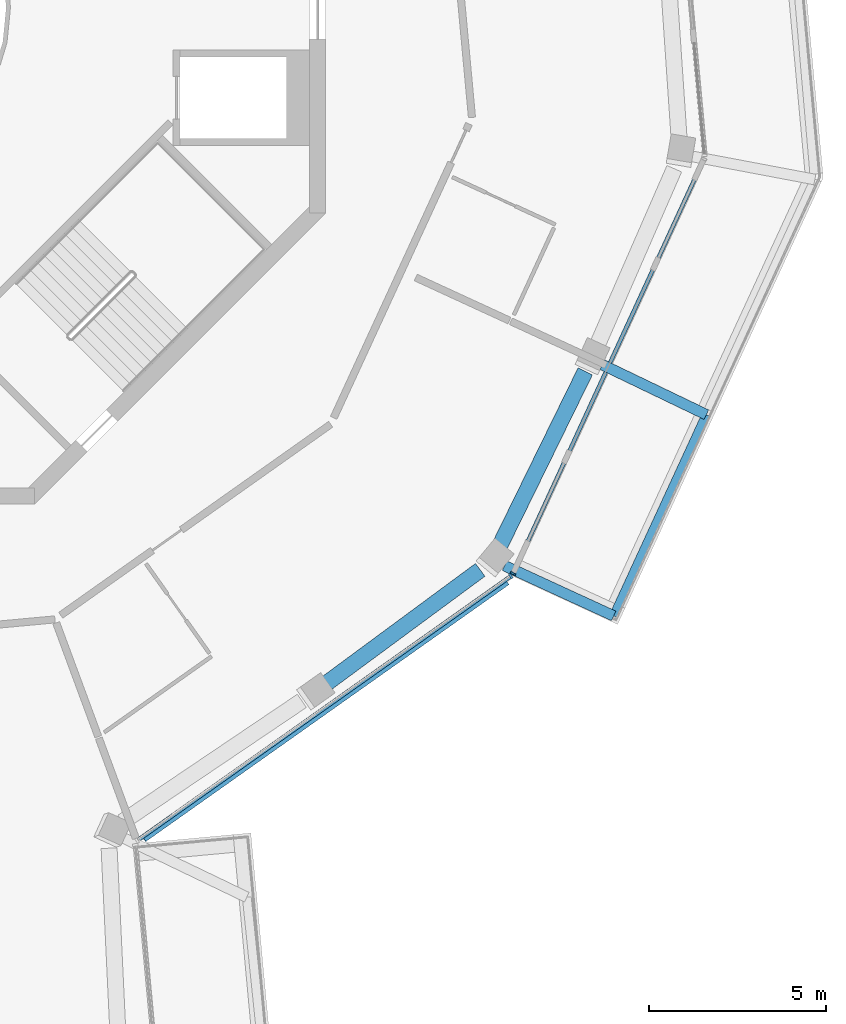
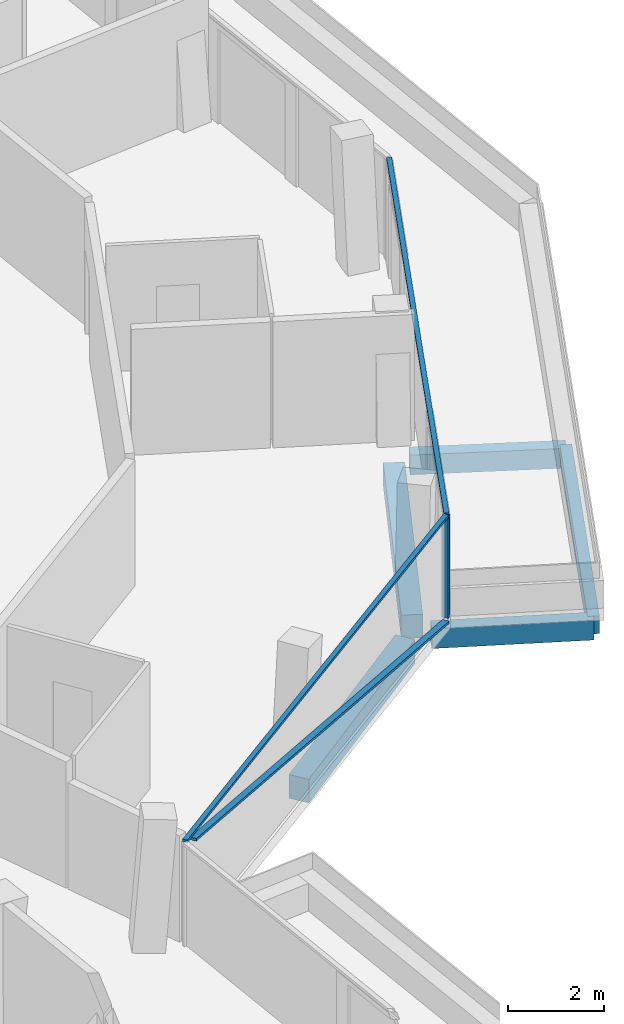
# One storey, part 4 of 25: 5 beams, 5 members, 2 elements without a shape of their own.
"""IFC4 building model written with IfcOpenShell, lengths in metres."""

from ifc_helpers import new_model, si_unit, direction, frame, origin, origin_2d, place, context, subcontext, project, spatial, rectangle, extrude, material, layer, layer_set, material_profile, profile_set, type_object, element, aggregate, save


model = new_model("IFC4")

# Units and contexts
model_context = context("Model", 3, precision=1e-05, world=origin(), true_north=direction((0.0, 1.0)))
body_context = subcontext(model_context, "Body", "Model", "MODEL_VIEW")
ifc_project = project(units=[si_unit("LENGTHUNIT", "METRE"), si_unit("AREAUNIT", "SQUARE_METRE"), si_unit("VOLUMEUNIT", "CUBIC_METRE"), si_unit("PLANEANGLEUNIT", "RADIAN"), si_unit("MASSUNIT", "GRAM", prefix="KILO")], contexts=[model_context])

# Site, building, storey
site_placement = place(None, origin())
site = spatial("IfcSite", under=ifc_project, at=site_placement, CompositionType="ELEMENT")
building_placement = place(site_placement, origin())
building = spatial("IfcBuilding", under=site, at=building_placement, Name="Verdalira Terraces Hotel", CompositionType="ELEMENT")
storey_placement = place(building_placement, frame((0.0, 0.0, 299.5)))
storey = spatial("IfcBuildingStorey", under=building, at=storey_placement, Name="L74", CompositionType="ELEMENT", Elevation=299.5)

# Beams
ifc_material_1 = material(Name="Concrete C40", Category="concrete")
ifc_material_profile_1 = material_profile(ifc_material_1, rectangle(XDim=0.300049, YDim=0.5, at=origin_2d()), Name="RC 300X500")
ifc_profile_set_1 = profile_set([ifc_material_profile_1], Name="Concrete C40")
beam_type_1 = type_object("IfcBeamType", Name="Balcony cantilever beam RC 300X500 C40", PredefinedType="BEAM", material=ifc_profile_set_1)
beam_1_placement = place(storey_placement, frame((19.040283, -15.73291, -0.560059), z_axis=(0.908379196, -0.418147386, 0.0), x_axis=(0.418147386, 0.908379196, 0.0)))
element("IfcBeam", 1, at=beam_1_placement, inside=storey, type_object=beam_type_1, Name="Balcony cantilever beam R26-1", PredefinedType="BEAM", context=body_context, shape_type="SweptSolid", body=[
    extrude(rectangle(XDim=0.300049, YDim=0.5, at=origin_2d()), origin(), (0.0, 0.0, 1.0), 3.383545),
])
beam_2_placement = place(storey_placement, frame((21.794189, -10.069824, -0.560059), z_axis=(0.901229863, -0.433341359, 0.0), x_axis=(0.433341359, 0.901229863, 0.0)))
element("IfcBeam", 2, at=beam_2_placement, inside=storey, type_object=beam_type_1, Name="Balcony cantilever beam R26-2", PredefinedType="BEAM", context=body_context, shape_type="SweptSolid", body=[
    extrude(rectangle(XDim=0.300049, YDim=0.5, at=origin_2d()), origin(), (0.0, 0.0, 1.0), 3.250732),
])
ifc_material_2 = material(Name="Concrete C40", Category="concrete")
ifc_material_profile_2 = material_profile(ifc_material_2, rectangle(XDim=0.25, YDim=0.449951, at=origin_2d()), Name="RC 250X450")
ifc_profile_set_2 = profile_set([ifc_material_profile_2], Name="Concrete C40")
beam_type_2 = type_object("IfcBeamType", Name="Balcony edge beam RC 250X450 C40", PredefinedType="BEAM", material=ifc_profile_set_2)
beam_3_placement = place(storey_placement, frame((22.11377, -17.147705, -0.534912), z_axis=(0.418207136, 0.908351689, 0.0), x_axis=(-0.908351689, 0.418207136, 0.0)))
element("IfcBeam", 3, at=beam_3_placement, inside=storey, type_object=beam_type_2, Name="Balcony edge beam R26-1", PredefinedType="BEAM", context=body_context, shape_type="SweptSolid", body=[
    extrude(rectangle(XDim=0.25, YDim=0.449951, at=origin_2d()), origin(), (0.0, 0.0, 1.0), 6.241211),
])

# Curtain wall, member
ifc_material_3 = material(Name="Clear glass", Category="glass")
ifc_layer = layer(ifc_material_3, 0.14990234375)
ifc_layer_set = layer_set([ifc_layer], Name="CW1 curtain wall")
curtain_wall_type = type_object("IfcCurtainWallType", Name="CW1 curtain wall", PredefinedType="NOTDEFINED", material=ifc_layer_set)
curtain_wall_1_placement = place(storey_placement, origin())
curtain_wall_1 = element("IfcCurtainWall", 4, at=curtain_wall_1_placement, inside=storey, type_object=curtain_wall_type, Name="CW1 curtain wall L74 edge 25", PredefinedType="NOTDEFINED")
ifc_material_4 = material(Name="Terracotta frame", Category="masonry")
ifc_material_profile_3 = material_profile(ifc_material_4, rectangle(XDim=0.060059, YDim=0.149902, at=origin_2d()), Name="MU 60x150")
ifc_profile_set_3 = profile_set([ifc_material_profile_3], Name="Terracotta frame")
member_type_1 = type_object("IfcMemberType", Name="CW1 mullion 60x150", PredefinedType="MULLION", material=ifc_profile_set_3)
member_1_placement = place(storey_placement, frame((19.216553, -16.028076, 0.0), z_axis=(0.0, 0.0, 1.0), x_axis=(0.816339251, 0.577572703, 0.0)))
member_1 = element("IfcMember", 5, at=member_1_placement, type_object=member_type_1, Name="CW1 mullion", PredefinedType="MULLION", context=body_context, shape_type="SweptSolid", body=[
    extrude(rectangle(XDim=0.060059, YDim=0.149902, at=origin_2d()), origin(), (0.0, 0.0, 1.0), 2.524902),
])

curtain_wall_2_placement = place(storey_placement, origin())
curtain_wall_2 = element("IfcCurtainWall", 6, at=curtain_wall_2_placement, inside=storey, type_object=curtain_wall_type, Name="CW1 curtain wall L74 edge 26", PredefinedType="NOTDEFINED")
member_2_placement = place(storey_placement, frame((19.27832, -15.953613, 0.0), z_axis=(0.0, 0.0, 1.0), x_axis=(0.418184178, 0.908362259, 0.0)))
member_2 = element("IfcMember", 7, at=member_2_placement, type_object=member_type_1, Name="CW1 mullion", PredefinedType="MULLION", context=body_context, shape_type="SweptSolid", body=[
    extrude(rectangle(XDim=0.060059, YDim=0.149902, at=origin_2d()), origin(), (0.0, 0.0, 1.0), 2.524902),
])

# Member
ifc_material_5 = material(Name="Terracotta frame", Category="masonry")
ifc_material_profile_4 = material_profile(ifc_material_5, rectangle(XDim=0.110107, YDim=0.064941, at=origin_2d()), Name="TR 65x110")
ifc_profile_set_4 = profile_set([ifc_material_profile_4], Name="Terracotta frame")
member_type_2 = type_object("IfcMemberType", Name="CW1 transom 65x110", PredefinedType="USERDEFINED", material=ifc_profile_set_4)
member_3_placement = place(storey_placement, frame((8.661377, -23.496094, 2.557617), z_axis=(0.816334617, 0.577579253, 0.0), x_axis=(-0.577579253, 0.816334617, 0.0)))
member_3 = element("IfcMember", 8, at=member_3_placement, type_object=member_type_2, Name="CW1 transom", ObjectType="TRANSOM", PredefinedType="USERDEFINED", context=body_context, shape_type="SweptSolid", body=[
    extrude(rectangle(XDim=0.110107, YDim=0.064941, at=origin_2d()), origin(), (0.0, 0.0, 1.0), 12.959961),
])

member_4_placement = place(storey_placement, frame((19.265869, -15.980957, 2.557617), z_axis=(0.418190384, 0.908359402, 0.0), x_axis=(-0.908359402, 0.418190384, 0.0)))
member_4 = element("IfcMember", 9, at=member_4_placement, type_object=member_type_2, Name="CW1 transom", ObjectType="TRANSOM", PredefinedType="USERDEFINED", context=body_context, shape_type="SweptSolid", body=[
    extrude(rectangle(XDim=0.110107, YDim=0.064941, at=origin_2d()), origin(), (0.0, 0.0, 1.0), 12.919434),
])

aggregate(curtain_wall_2, [member_2, member_4])

ifc_material_6 = material(Name="Terracotta frame", Category="masonry")
ifc_material_profile_5 = material_profile(ifc_material_6, rectangle(XDim=0.149902, YDim=0.060059, at=origin_2d()), Name="GB 60x150")
ifc_profile_set_5 = profile_set([ifc_material_profile_5], Name="Terracotta frame")
member_type_3 = type_object("IfcMemberType", Name="Diagonal glazing bar 60x150", PredefinedType="USERDEFINED", material=ifc_profile_set_5)
member_5_placement = place(storey_placement, frame((8.885498, -23.446533, 2.495117), z_axis=(0.801001265, 0.566714271, -0.192955719), x_axis=(-0.577568242, 0.816342407, 0.0)))
member_5 = element("IfcMember", 10, at=member_5_placement, type_object=member_type_3, Name="Diagonal glazing bar", ObjectType="GLAZING BAR", PredefinedType="USERDEFINED", context=body_context, shape_type="SweptSolid", body=[
    extrude(rectangle(XDim=0.149902, YDim=0.060059, at=origin_2d()), origin(), (0.0, 0.0, 1.0), 12.776611),
])

aggregate(curtain_wall_1, [member_1, member_3, member_5])

# Beams
ifc_material_7 = material(Name="Concrete C40", Category="concrete")
ifc_material_profile_6 = material_profile(ifc_material_7, rectangle(XDim=0.449951, YDim=0.600098, at=origin_2d()), Name="RC 450X600")
ifc_profile_set_6 = profile_set([ifc_material_profile_6], Name="Concrete C40")
beam_type_3 = type_object("IfcBeamType", Name="Spandrel beam RC 450X600 C40", PredefinedType="SPANDREL", material=ifc_profile_set_6)
beam_4_placement = place(storey_placement, frame((13.912109, -19.128662, -0.610107), z_axis=(0.804639972, 0.593763013, 0.0), x_axis=(-0.593763013, 0.804639972, 0.0)))
element("IfcBeam", 11, at=beam_4_placement, inside=storey, type_object=beam_type_3, Name="Spandrel beam B14", PredefinedType="SPANDREL", context=body_context, shape_type="SweptSolid", body=[
    extrude(rectangle(XDim=0.449951, YDim=0.600098, at=origin_2d()), origin(), (0.0, 0.0, 1.0), 5.52124),
])
beam_5_placement = place(storey_placement, frame((18.880127, -15.218262, -0.610107), z_axis=(0.440305343, 0.897848097, 0.0), x_axis=(-0.897848097, 0.440305343, 0.0)))
element("IfcBeam", 12, at=beam_5_placement, inside=storey, type_object=beam_type_3, Name="Spandrel beam B15", PredefinedType="SPANDREL", context=body_context, shape_type="SweptSolid", body=[
    extrude(rectangle(XDim=0.449951, YDim=0.600098, at=origin_2d()), origin(), (0.0, 0.0, 1.0), 5.523682),
])

save(model, "model.ifc")
